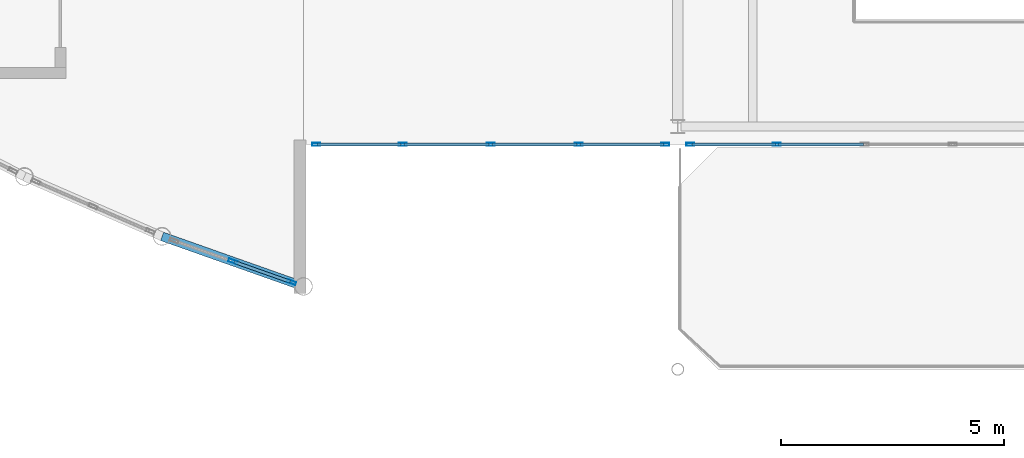
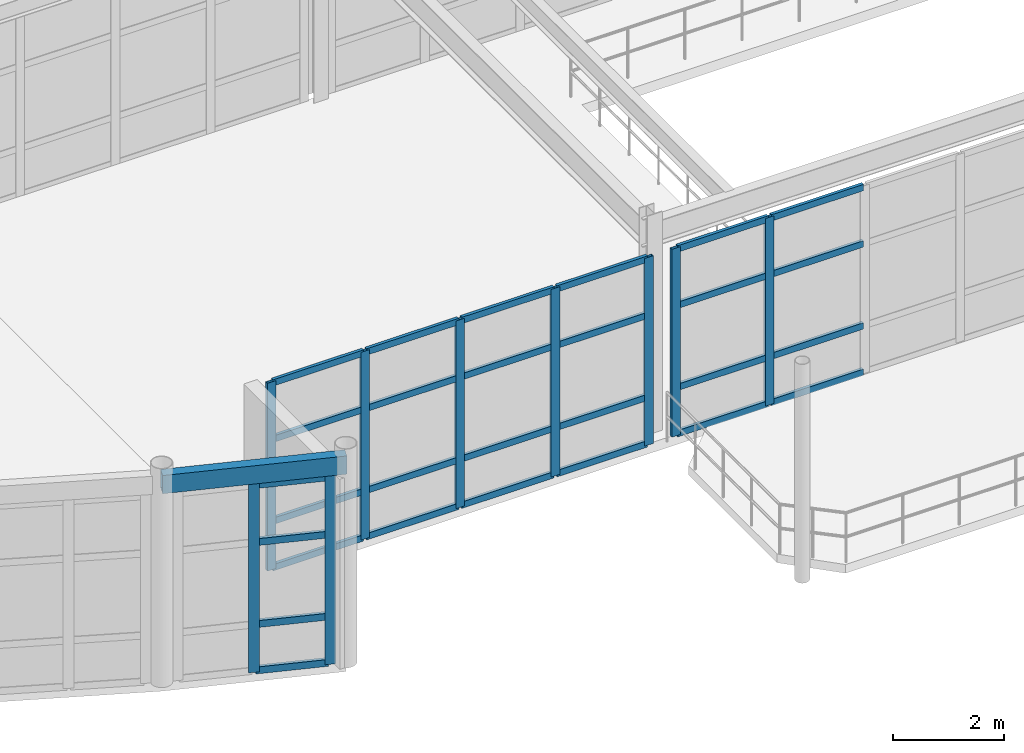
# One storey, part 26 of 116: 37 members, 1 beam, 3 elements without a shape of their own.
"""IFC4 building model written with IfcOpenShell, lengths in metres."""

import ifcopenshell
import ifcopenshell.guid

model = None  # the IFC model being written
_history = None  # IfcOwnerHistory: only IFC2X3 demands one
_inside = {}  # id of a spatial element -> (the spatial element, [elements in it])
_under = {}  # id of a project, library or spatial element -> (it, [spatial elements below it])
_declared = {}  # id of a project -> (the project, [libraries it declares])
_typed = {}  # id of a type object -> (the type object, [elements of that type])
_made_of = {}  # id of a material, layer set ... -> (it, [elements and type objects made of it])


def new_model(schema):
    """Start an empty IFC model of exactly this schema.

    Asked for "IFC4X3", IfcOpenShell would pick the latest addendum, in which some entities
    have other attributes; the version numbers below select the first issue.
    IFC2X3 requires an IfcOwnerHistory on every rooted entity: one is made here for all.
    """
    global model, _history
    if schema == "IFC4X3":
        model = ifcopenshell.file(schema_version=(4, 3, 0, 0))
    else:
        model = ifcopenshell.file(schema=schema)
    _inside.clear()
    _under.clear()
    _declared.clear()
    _typed.clear()
    _made_of.clear()
    _history = None
    if model.schema == "IFC2X3":
        org = make("IfcOrganization", Name="unknown")
        user = make(
            "IfcPersonAndOrganization",
            ThePerson=make("IfcPerson", FamilyName="unknown"),
            TheOrganization=org,
        )
        app = make(
            "IfcApplication",
            ApplicationDeveloper=org,
            Version="unknown",
            ApplicationFullName="unknown",
            ApplicationIdentifier="unknown",
        )
        _history = make(
            "IfcOwnerHistory",
            OwningUser=user,
            OwningApplication=app,
            ChangeAction="ADDED",
            CreationDate=0,
        )
    return model


def make(cls, **values):
    """One entity of the class cls with the attributes given. An attribute that is None is left unset."""
    return model.create_entity(
        cls, **{name: value for name, value in values.items() if value is not None}
    )


def rooted(cls, **values):
    """An entity with a GlobalId (a new one), such as an element, a storey or a relation."""
    return make(cls, GlobalId=ifcopenshell.guid.new(), OwnerHistory=_history, **values)


def si_unit(unit_type, name, prefix=None):
    """IfcSIUnit, for example si_unit("LENGTHUNIT", "METRE", prefix="MILLI")."""
    return make("IfcSIUnit", UnitType=unit_type, Prefix=prefix, Name=name)


def assignment(units):
    """IfcUnitAssignment: the units of a project."""
    return None if units is None else make("IfcUnitAssignment", Units=units)


def point(xyz):
    """IfcCartesianPoint."""
    return None if xyz is None else make("IfcCartesianPoint", Coordinates=xyz)


def direction(xyz):
    """IfcDirection."""
    return None if xyz is None else make("IfcDirection", DirectionRatios=xyz)


def frame(location, z_axis=None, x_axis=None):
    """IfcAxis2Placement3D, a coordinate frame: its origin and axes. An axis left out is left unset."""
    return make(
        "IfcAxis2Placement3D",
        Location=point(location),
        Axis=direction(z_axis),
        RefDirection=direction(x_axis),
    )


def frame_2d(location, x_axis=None):
    """IfcAxis2Placement2D, a coordinate frame in the plane: its origin and x axis."""
    return make(
        "IfcAxis2Placement2D", Location=point(location), RefDirection=direction(x_axis)
    )


def origin():
    """The frame at (0, 0, 0) with its axes left unset."""
    return frame((0.0, 0.0, 0.0))


def origin_2d():
    """The frame at (0, 0) in the plane with its x axis left unset."""
    return frame_2d((0.0, 0.0))


def place(relative_to, where):
    """IfcLocalPlacement: puts the frame where relative to a parent placement (None: the world)."""
    return make(
        "IfcLocalPlacement", PlacementRelTo=relative_to, RelativePlacement=where
    )


def context(
    kind, dimensions, precision=None, world=None, true_north=None, identifier=None
):
    """IfcGeometricRepresentationContext, for example the 3D "Model" context."""
    return make(
        "IfcGeometricRepresentationContext",
        ContextIdentifier=identifier,
        ContextType=kind,
        CoordinateSpaceDimension=dimensions,
        Precision=precision,
        WorldCoordinateSystem=world,
        TrueNorth=true_north,
    )


def subcontext(parent, identifier, kind, view, scale=None):
    """IfcGeometricRepresentationSubContext, for example "Body" below "Model"."""
    return make(
        "IfcGeometricRepresentationSubContext",
        ContextIdentifier=identifier,
        ContextType=kind,
        ParentContext=parent,
        TargetScale=scale,
        TargetView=view,
    )


def project(units=None, contexts=None):
    """IfcProject with its units and contexts."""
    return rooted(
        "IfcProject",
        Name="project",
        RepresentationContexts=contexts,
        UnitsInContext=assignment(units),
    )


def spatial(cls, under=None, at=None, **own):
    """A site, building, storey or space (cls), placed at a placement, below another one or the project."""
    s = rooted(cls, ObjectPlacement=at, **own)
    if under is not None:
        _under.setdefault(under.id(), (under, []))[1].append(s)
    return s


def profile(cls, at=None, kind="AREA", **sizes):
    """A parametric profile (cls). Its sizes go by their IFC names, for example OverallWidth=200.0."""
    return make(cls, ProfileType=kind, Position=at, **sizes)


def hollow_rectangle(**sizes):
    """IfcRectangleHollowProfileDef."""
    return profile("IfcRectangleHollowProfileDef", **sizes)


def extrude(swept, where, along, depth):
    """IfcExtrudedAreaSolid: the profile swept, set in the frame where, extruded along a direction by depth."""
    return make(
        "IfcExtrudedAreaSolid",
        SweptArea=swept,
        Position=where,
        ExtrudedDirection=direction(along),
        Depth=depth,
    )


def shape(context_of_items, identifier, shape_type, items):
    """IfcShapeRepresentation: the items that make up one representation, for example the "Body"."""
    return make(
        "IfcShapeRepresentation",
        ContextOfItems=context_of_items,
        RepresentationIdentifier=identifier,
        RepresentationType=shape_type,
        Items=items,
    )


def material(Name=None, Category=None):
    """IfcMaterial."""
    return make("IfcMaterial", Name=Name, Category=Category)


def layer(
    of_material, thickness, ventilated=None, Name=None, Category=None, Priority=None
):
    """IfcMaterialLayer: one layer of a wall or slab, of a material (None: an air gap)."""
    return make(
        "IfcMaterialLayer",
        Material=of_material,
        LayerThickness=thickness,
        IsVentilated=ventilated,
        Name=Name,
        Category=Category,
        Priority=Priority,
    )


def layer_set(layers, Name=None):
    """IfcMaterialLayerSet."""
    return make("IfcMaterialLayerSet", MaterialLayers=layers, LayerSetName=Name)


def material_profile(
    of_material, cross_section, Name=None, Category=None, Priority=None
):
    """IfcMaterialProfile: a cross section and its material."""
    return make(
        "IfcMaterialProfile",
        Name=Name,
        Material=of_material,
        Profile=cross_section,
        Priority=Priority,
        Category=Category,
    )


def profile_set(profiles, Name=None, composite=None):
    """IfcMaterialProfileSet."""
    return make(
        "IfcMaterialProfileSet",
        Name=Name,
        MaterialProfiles=profiles,
        CompositeProfile=composite,
    )


def made_of(thing, what):
    """Note that an element or type object is made of a material, layer set ...; save() writes the relation."""
    if what is not None:
        _made_of.setdefault(what.id(), (what, []))[1].append(thing)
    return thing


def type_object(cls, material=None, **own):
    """A type object (cls), such as IfcWallType, which elements share."""
    return made_of(rooted(cls, **own), material)


def element(
    cls,
    number,
    at=None,
    inside=None,
    cuts=None,
    type_object=None,
    material=None,
    context=None,
    identifier="Body",
    shape_type=None,
    held_by="IfcProductDefinitionShape",
    body=None,
    shapes=None,
    **own,
):
    """One element of the class cls, such as IfcWall. Its Tag is "e" and its number.

    at: its placement. inside: the storey or other place that contains it. cuts: it is an
    opening in that element (IfcRelVoidsElement). A single representation is given by context,
    identifier, shape_type and body (its items); several are given by shapes. held_by: the class
    of the entity that holds the representations. save() writes the other relations.
    """
    e = rooted(cls, Tag="e%d" % number, ObjectPlacement=at, **own)
    if body is not None:
        shapes = [shape(context, identifier, shape_type, body)]
    if shapes is not None:
        e.Representation = make(held_by, Representations=shapes)
    if inside is not None:
        _inside.setdefault(inside.id(), (inside, []))[1].append(e)
    if cuts is not None:
        rooted(
            "IfcRelVoidsElement", RelatingBuildingElement=cuts, RelatedOpeningElement=e
        )
    if type_object is not None:
        _typed.setdefault(type_object.id(), (type_object, []))[1].append(e)
    return made_of(e, material)


def aggregate(whole, parts):
    """IfcRelAggregates: a whole, such as a stair, and the parts it consists of."""
    return rooted("IfcRelAggregates", RelatingObject=whole, RelatedObjects=parts)


def save(model, path):
    """Write the relations noted so far, then the file.

    IfcRelAggregates (storeys below a building ...), IfcRelContainedInSpatialStructure (elements
    in a storey), IfcRelDefinesByType, IfcRelAssociatesMaterial and IfcRelDeclares: one each for
    every whole, place, type object, material and project.
    """
    for whole, parts in _under.values():
        aggregate(whole, parts)
    for where, things in _inside.values():
        rooted(
            "IfcRelContainedInSpatialStructure",
            RelatedElements=things,
            RelatingStructure=where,
        )
    for kind, things in _typed.values():
        rooted("IfcRelDefinesByType", RelatedObjects=things, RelatingType=kind)
    for what, things in _made_of.values():
        rooted("IfcRelAssociatesMaterial", RelatedObjects=things, RelatingMaterial=what)
    for by, libraries in _declared.values():
        rooted("IfcRelDeclares", RelatingContext=by, RelatedDefinitions=libraries)
    model.write(path)


model = new_model("IFC4")

# Units and contexts
model_context = context("Model", 3, precision=1e-05, world=origin(), true_north=direction((0.0, 1.0)))
body_context = subcontext(model_context, "Body", "Model", "MODEL_VIEW")
ifc_project = project(units=[si_unit("LENGTHUNIT", "METRE"), si_unit("AREAUNIT", "SQUARE_METRE"), si_unit("VOLUMEUNIT", "CUBIC_METRE"), si_unit("PLANEANGLEUNIT", "RADIAN"), si_unit("MASSUNIT", "GRAM", prefix="KILO")], contexts=[model_context])

# Site, building, storey
site_placement = place(None, origin())
site = spatial("IfcSite", under=ifc_project, at=site_placement, CompositionType="ELEMENT")
building_placement = place(site_placement, origin())
building = spatial("IfcBuilding", under=site, at=building_placement, Name="Selat Folded Stagehouse", CompositionType="ELEMENT")
storey_placement = place(building_placement, frame((0.0, 0.0, 5.39990234375)))
storey = spatial("IfcBuildingStorey", under=building, at=storey_placement, Name="L01", CompositionType="ELEMENT", Elevation=5.39990234375)

# Curtain wall, members
ifc_material_1 = material(Name="Aluminium 6063-T6", Category="aluminium")
ifc_layer_1 = layer(ifc_material_1, 0.2099609375)
ifc_layer_set_1 = layer_set([ifc_layer_1], Name="Aluminium 6063-T6")
curtain_wall_type_1 = type_object("IfcCurtainWallType", Name="CW-FYR-SOUTH", PredefinedType="NOTDEFINED", material=ifc_layer_set_1)
curtain_wall_1_placement = place(storey_placement, origin())
curtain_wall_1 = element("IfcCurtainWall", 1, at=curtain_wall_1_placement, inside=storey, type_object=curtain_wall_type_1, Name="L01 curtain wall CW-FYR-L01-00", PredefinedType="NOTDEFINED")
ifc_material_profile_1 = material_profile(ifc_material_1, hollow_rectangle(XDim=0.06494140625, YDim=0.179931640625, WallThickness=0.00390625, at=origin_2d()), Name="ALU 180x65x4.0")
ifc_profile_set_1 = profile_set([ifc_material_profile_1], Name="Aluminium 6063-T6")
member_type_1 = type_object("IfcMemberType", Name="CWM-MUL-180x65", PredefinedType="MULLION", material=ifc_profile_set_1)
member_1_placement = place(storey_placement, frame((41.717529296875, 5.39990234375, 0.0), z_axis=(0.0, 0.0, 1.0), x_axis=(0.0, -1.0, 0.0)))
member_1 = element("IfcMember", 2, at=member_1_placement, type_object=member_type_1, Name="CW-04 mullion 1", PredefinedType="MULLION", context=body_context, shape_type="SweptSolid", body=[
    extrude(hollow_rectangle(XDim=0.06494140625, YDim=0.179931640625, WallThickness=0.00390625, at=origin_2d()), origin(), (0.0, 0.0, 1.0), 4.1201171875),
])
member_2_placement = place(storey_placement, frame((39.77490234375, 5.39990234375, 0.0), z_axis=(0.0, 0.0, 1.0), x_axis=(0.0, -1.0, 0.0)))
member_2 = element("IfcMember", 3, at=member_2_placement, type_object=member_type_1, Name="CW-04 mullion 2", PredefinedType="MULLION", context=body_context, shape_type="SweptSolid", body=[
    extrude(hollow_rectangle(XDim=0.06494140625, YDim=0.179931640625, WallThickness=0.00390625, at=origin_2d()), origin(), (0.0, 0.0, 1.0), 4.1201171875),
])
member_3_placement = place(storey_placement, frame((37.800048828125, 5.39990234375, 0.0), z_axis=(0.0, 0.0, 1.0), x_axis=(0.0, -1.0, 0.0)))
member_3 = element("IfcMember", 4, at=member_3_placement, type_object=member_type_1, Name="CW-04 mullion 3", PredefinedType="MULLION", context=body_context, shape_type="SweptSolid", body=[
    extrude(hollow_rectangle(XDim=0.06494140625, YDim=0.179931640625, WallThickness=0.00390625, at=origin_2d()), origin(), (0.0, 0.0, 1.0), 4.1201171875),
])
member_4_placement = place(storey_placement, frame((35.824951171875, 5.39990234375, 0.0), z_axis=(0.0, 0.0, 1.0), x_axis=(0.0, -1.0, 0.0)))
member_4 = element("IfcMember", 5, at=member_4_placement, type_object=member_type_1, Name="CW-04 mullion 4", PredefinedType="MULLION", context=body_context, shape_type="SweptSolid", body=[
    extrude(hollow_rectangle(XDim=0.06494140625, YDim=0.179931640625, WallThickness=0.00390625, at=origin_2d()), origin(), (0.0, 0.0, 1.0), 4.1201171875),
])
member_5_placement = place(storey_placement, frame((33.882568359375, 5.39990234375, 0.0), z_axis=(0.0, 0.0, 1.0), x_axis=(0.0, -1.0, 0.0)))
member_5 = element("IfcMember", 6, at=member_5_placement, type_object=member_type_1, Name="CW-04 mullion 5", PredefinedType="MULLION", context=body_context, shape_type="SweptSolid", body=[
    extrude(hollow_rectangle(XDim=0.06494140625, YDim=0.179931640625, WallThickness=0.00390625, at=origin_2d()), origin(), (0.0, 0.0, 1.0), 4.1201171875),
])

curtain_wall_2_placement = place(storey_placement, origin())
curtain_wall_2 = element("IfcCurtainWall", 7, at=curtain_wall_2_placement, inside=storey, type_object=curtain_wall_type_1, Name="L01 curtain wall CW-FYR-L01-01", PredefinedType="NOTDEFINED")
member_6_placement = place(storey_placement, frame((44.22509765625, 5.39990234375, 0.0), z_axis=(0.0, 0.0, 1.0), x_axis=(0.0, -1.0, 0.0)))
member_6 = element("IfcMember", 8, at=member_6_placement, type_object=member_type_1, Name="CW-04 mullion 4", PredefinedType="MULLION", context=body_context, shape_type="SweptSolid", body=[
    extrude(hollow_rectangle(XDim=0.06494140625, YDim=0.179931640625, WallThickness=0.00390625, at=origin_2d()), origin(), (0.0, 0.0, 1.0), 4.1201171875),
])
member_7_placement = place(storey_placement, frame((42.282470703125, 5.39990234375, 0.0), z_axis=(0.0, 0.0, 1.0), x_axis=(0.0, -1.0, 0.0)))
member_7 = element("IfcMember", 9, at=member_7_placement, type_object=member_type_1, Name="CW-04 mullion 5", PredefinedType="MULLION", context=body_context, shape_type="SweptSolid", body=[
    extrude(hollow_rectangle(XDim=0.06494140625, YDim=0.179931640625, WallThickness=0.00390625, at=origin_2d()), origin(), (0.0, 0.0, 1.0), 4.1201171875),
])

ifc_layer_2 = layer(ifc_material_1, 0.199951171875)
ifc_layer_set_2 = layer_set([ifc_layer_2], Name="Aluminium 6063-T6")
curtain_wall_type_2 = type_object("IfcCurtainWallType", Name="CW-DRM-MID", PredefinedType="NOTDEFINED", material=ifc_layer_set_2)
curtain_wall_3_placement = place(storey_placement, origin())
curtain_wall_3 = element("IfcCurtainWall", 10, at=curtain_wall_3_placement, inside=storey, type_object=curtain_wall_type_2, Name="L01 curtain wall CW-DRM-L01-19", PredefinedType="NOTDEFINED")
ifc_material_profile_2 = material_profile(ifc_material_1, hollow_rectangle(XDim=0.070068359375, YDim=0.199951171875, WallThickness=0.0048828125, at=origin_2d()), Name="ALU 200x70x5.0")
ifc_profile_set_2 = profile_set([ifc_material_profile_2], Name="Aluminium 6063-T6")
member_type_2 = type_object("IfcMemberType", Name="CWM-MUL-200x70", PredefinedType="MULLION", material=ifc_profile_set_2)
member_8_placement = place(storey_placement, frame((33.331298828125, 2.305908203125, 0.0), z_axis=(0.0, 0.0, 1.0), x_axis=(-0.333314148838, -0.942815824106, 0.0)))
member_8 = element("IfcMember", 11, at=member_8_placement, type_object=member_type_2, Name="CW-02 mullion 1", PredefinedType="MULLION", context=body_context, shape_type="SweptSolid", body=[
    extrude(hollow_rectangle(XDim=0.070068359375, YDim=0.199951171875, WallThickness=0.0048828125, at=origin_2d()), origin(), (0.0, 0.0, 1.0), 4.14013671875),
])
member_9_placement = place(storey_placement, frame((32.01171875, 2.7724609375, 0.0), z_axis=(0.0, 0.0, 1.0), x_axis=(-0.333314148838, -0.942815824106, 0.0)))
member_9 = element("IfcMember", 12, at=member_9_placement, type_object=member_type_2, Name="CW-02 mullion 2", PredefinedType="MULLION", context=body_context, shape_type="SweptSolid", body=[
    extrude(hollow_rectangle(XDim=0.070068359375, YDim=0.199951171875, WallThickness=0.0048828125, at=origin_2d()), origin(), (0.0, 0.0, 1.0), 4.14013671875),
])

# Member
ifc_material_profile_3 = material_profile(ifc_material_1, hollow_rectangle(XDim=0.06494140625, YDim=0.139892578125, WallThickness=0.00390625, at=origin_2d()), Name="ALU 140x65x4.0")
ifc_profile_set_3 = profile_set([ifc_material_profile_3], Name="Aluminium 6063-T6")
member_type_3 = type_object("IfcMemberType", Name="CWM-TRN-140x65", PredefinedType="USERDEFINED", material=ifc_profile_set_3)
member_10_placement = place(storey_placement, frame((41.68505859375, 5.39990234375, 0.03271484375), z_axis=(-1.0, 0.0, 0.0), x_axis=(0.0, -1.0, 0.0)))
member_10 = element("IfcMember", 13, at=member_10_placement, type_object=member_type_3, Name="CW-04 transom 1.1", ObjectType="TRANSOM", PredefinedType="USERDEFINED", context=body_context, shape_type="SweptSolid", body=[
    extrude(hollow_rectangle(XDim=0.06494140625, YDim=0.139892578125, WallThickness=0.00390625, at=origin_2d()), origin(), (0.0, 0.0, 1.0), 1.87744140625),
])

member_11_placement = place(storey_placement, frame((41.68505859375, 5.39990234375, 1.050048828125), z_axis=(-1.0, 0.0, 0.0), x_axis=(0.0, -1.0, 0.0)))
member_11 = element("IfcMember", 14, at=member_11_placement, type_object=member_type_3, Name="CW-04 transom 1.2", ObjectType="TRANSOM", PredefinedType="USERDEFINED", context=body_context, shape_type="SweptSolid", body=[
    extrude(hollow_rectangle(XDim=0.06494140625, YDim=0.139892578125, WallThickness=0.00390625, at=origin_2d()), origin(), (0.0, 0.0, 1.0), 1.87744140625),
])

member_12_placement = place(storey_placement, frame((41.68505859375, 5.39990234375, 2.85009765625), z_axis=(-1.0, 0.0, 0.0), x_axis=(0.0, -1.0, 0.0)))
member_12 = element("IfcMember", 15, at=member_12_placement, type_object=member_type_3, Name="CW-04 transom 1.3", ObjectType="TRANSOM", PredefinedType="USERDEFINED", context=body_context, shape_type="SweptSolid", body=[
    extrude(hollow_rectangle(XDim=0.06494140625, YDim=0.139892578125, WallThickness=0.00390625, at=origin_2d()), origin(), (0.0, 0.0, 1.0), 1.87744140625),
])

member_13_placement = place(storey_placement, frame((41.68505859375, 5.39990234375, 4.087646484375), z_axis=(-1.0, 0.0, 0.0), x_axis=(0.0, -1.0, 0.0)))
member_13 = element("IfcMember", 16, at=member_13_placement, type_object=member_type_3, Name="CW-04 transom 1.4", ObjectType="TRANSOM", PredefinedType="USERDEFINED", context=body_context, shape_type="SweptSolid", body=[
    extrude(hollow_rectangle(XDim=0.06494140625, YDim=0.139892578125, WallThickness=0.00390625, at=origin_2d()), origin(), (0.0, 0.0, 1.0), 1.87744140625),
])

member_14_placement = place(storey_placement, frame((39.742431640625, 5.39990234375, 0.03271484375), z_axis=(-1.0, 0.0, 0.0), x_axis=(0.0, -1.0, 0.0)))
member_14 = element("IfcMember", 17, at=member_14_placement, type_object=member_type_3, Name="CW-04 transom 2.1", ObjectType="TRANSOM", PredefinedType="USERDEFINED", context=body_context, shape_type="SweptSolid", body=[
    extrude(hollow_rectangle(XDim=0.06494140625, YDim=0.139892578125, WallThickness=0.00390625, at=origin_2d()), origin(), (0.0, 0.0, 1.0), 1.909912109375),
])

member_15_placement = place(storey_placement, frame((39.742431640625, 5.39990234375, 1.050048828125), z_axis=(-1.0, 0.0, 0.0), x_axis=(0.0, -1.0, 0.0)))
member_15 = element("IfcMember", 18, at=member_15_placement, type_object=member_type_3, Name="CW-04 transom 2.2", ObjectType="TRANSOM", PredefinedType="USERDEFINED", context=body_context, shape_type="SweptSolid", body=[
    extrude(hollow_rectangle(XDim=0.06494140625, YDim=0.139892578125, WallThickness=0.00390625, at=origin_2d()), origin(), (0.0, 0.0, 1.0), 1.909912109375),
])

member_16_placement = place(storey_placement, frame((39.742431640625, 5.39990234375, 2.85009765625), z_axis=(-1.0, 0.0, 0.0), x_axis=(0.0, -1.0, 0.0)))
member_16 = element("IfcMember", 19, at=member_16_placement, type_object=member_type_3, Name="CW-04 transom 2.3", ObjectType="TRANSOM", PredefinedType="USERDEFINED", context=body_context, shape_type="SweptSolid", body=[
    extrude(hollow_rectangle(XDim=0.06494140625, YDim=0.139892578125, WallThickness=0.00390625, at=origin_2d()), origin(), (0.0, 0.0, 1.0), 1.909912109375),
])

member_17_placement = place(storey_placement, frame((39.742431640625, 5.39990234375, 4.087646484375), z_axis=(-1.0, 0.0, 0.0), x_axis=(0.0, -1.0, 0.0)))
member_17 = element("IfcMember", 20, at=member_17_placement, type_object=member_type_3, Name="CW-04 transom 2.4", ObjectType="TRANSOM", PredefinedType="USERDEFINED", context=body_context, shape_type="SweptSolid", body=[
    extrude(hollow_rectangle(XDim=0.06494140625, YDim=0.139892578125, WallThickness=0.00390625, at=origin_2d()), origin(), (0.0, 0.0, 1.0), 1.909912109375),
])

member_18_placement = place(storey_placement, frame((37.767578125, 5.39990234375, 0.03271484375), z_axis=(-1.0, 0.0, 0.0), x_axis=(0.0, -1.0, 0.0)))
member_18 = element("IfcMember", 21, at=member_18_placement, type_object=member_type_3, Name="CW-04 transom 3.1", ObjectType="TRANSOM", PredefinedType="USERDEFINED", context=body_context, shape_type="SweptSolid", body=[
    extrude(hollow_rectangle(XDim=0.06494140625, YDim=0.139892578125, WallThickness=0.00390625, at=origin_2d()), origin(), (0.0, 0.0, 1.0), 1.91015625),
])

member_19_placement = place(storey_placement, frame((37.767578125, 5.39990234375, 1.050048828125), z_axis=(-1.0, 0.0, 0.0), x_axis=(0.0, -1.0, 0.0)))
member_19 = element("IfcMember", 22, at=member_19_placement, type_object=member_type_3, Name="CW-04 transom 3.2", ObjectType="TRANSOM", PredefinedType="USERDEFINED", context=body_context, shape_type="SweptSolid", body=[
    extrude(hollow_rectangle(XDim=0.06494140625, YDim=0.139892578125, WallThickness=0.00390625, at=origin_2d()), origin(), (0.0, 0.0, 1.0), 1.91015625),
])

member_20_placement = place(storey_placement, frame((37.767578125, 5.39990234375, 2.85009765625), z_axis=(-1.0, 0.0, 0.0), x_axis=(0.0, -1.0, 0.0)))
member_20 = element("IfcMember", 23, at=member_20_placement, type_object=member_type_3, Name="CW-04 transom 3.3", ObjectType="TRANSOM", PredefinedType="USERDEFINED", context=body_context, shape_type="SweptSolid", body=[
    extrude(hollow_rectangle(XDim=0.06494140625, YDim=0.139892578125, WallThickness=0.00390625, at=origin_2d()), origin(), (0.0, 0.0, 1.0), 1.91015625),
])

member_21_placement = place(storey_placement, frame((37.767578125, 5.39990234375, 4.087646484375), z_axis=(-1.0, 0.0, 0.0), x_axis=(0.0, -1.0, 0.0)))
member_21 = element("IfcMember", 24, at=member_21_placement, type_object=member_type_3, Name="CW-04 transom 3.4", ObjectType="TRANSOM", PredefinedType="USERDEFINED", context=body_context, shape_type="SweptSolid", body=[
    extrude(hollow_rectangle(XDim=0.06494140625, YDim=0.139892578125, WallThickness=0.00390625, at=origin_2d()), origin(), (0.0, 0.0, 1.0), 1.91015625),
])

member_22_placement = place(storey_placement, frame((35.79248046875, 5.39990234375, 0.03271484375), z_axis=(-1.0, 0.0, 0.0), x_axis=(0.0, -1.0, 0.0)))
member_22 = element("IfcMember", 25, at=member_22_placement, type_object=member_type_3, Name="CW-04 transom 4.1", ObjectType="TRANSOM", PredefinedType="USERDEFINED", context=body_context, shape_type="SweptSolid", body=[
    extrude(hollow_rectangle(XDim=0.06494140625, YDim=0.139892578125, WallThickness=0.00390625, at=origin_2d()), origin(), (0.0, 0.0, 1.0), 1.87744140625),
])

member_23_placement = place(storey_placement, frame((35.79248046875, 5.39990234375, 1.050048828125), z_axis=(-1.0, 0.0, 0.0), x_axis=(0.0, -1.0, 0.0)))
member_23 = element("IfcMember", 26, at=member_23_placement, type_object=member_type_3, Name="CW-04 transom 4.2", ObjectType="TRANSOM", PredefinedType="USERDEFINED", context=body_context, shape_type="SweptSolid", body=[
    extrude(hollow_rectangle(XDim=0.06494140625, YDim=0.139892578125, WallThickness=0.00390625, at=origin_2d()), origin(), (0.0, 0.0, 1.0), 1.87744140625),
])

member_24_placement = place(storey_placement, frame((35.79248046875, 5.39990234375, 2.85009765625), z_axis=(-1.0, 0.0, 0.0), x_axis=(0.0, -1.0, 0.0)))
member_24 = element("IfcMember", 27, at=member_24_placement, type_object=member_type_3, Name="CW-04 transom 4.3", ObjectType="TRANSOM", PredefinedType="USERDEFINED", context=body_context, shape_type="SweptSolid", body=[
    extrude(hollow_rectangle(XDim=0.06494140625, YDim=0.139892578125, WallThickness=0.00390625, at=origin_2d()), origin(), (0.0, 0.0, 1.0), 1.87744140625),
])

member_25_placement = place(storey_placement, frame((35.79248046875, 5.39990234375, 4.087646484375), z_axis=(-1.0, 0.0, 0.0), x_axis=(0.0, -1.0, 0.0)))
member_25 = element("IfcMember", 28, at=member_25_placement, type_object=member_type_3, Name="CW-04 transom 4.4", ObjectType="TRANSOM", PredefinedType="USERDEFINED", context=body_context, shape_type="SweptSolid", body=[
    extrude(hollow_rectangle(XDim=0.06494140625, YDim=0.139892578125, WallThickness=0.00390625, at=origin_2d()), origin(), (0.0, 0.0, 1.0), 1.87744140625),
])

aggregate(curtain_wall_1, [member_1, member_2, member_3, member_4, member_5, member_10, member_11, member_12, member_13, member_14, member_15, member_16, member_17, member_18, member_19, member_20, member_21, member_22, member_23, member_24, member_25])

member_26_placement = place(storey_placement, frame((46.16748046875, 5.39990234375, 0.03271484375), z_axis=(-1.0, 0.0, 0.0), x_axis=(0.0, -1.0, 0.0)))
member_26 = element("IfcMember", 29, at=member_26_placement, type_object=member_type_3, Name="CW-04 transom 3.1", ObjectType="TRANSOM", PredefinedType="USERDEFINED", context=body_context, shape_type="SweptSolid", body=[
    extrude(hollow_rectangle(XDim=0.06494140625, YDim=0.139892578125, WallThickness=0.00390625, at=origin_2d()), origin(), (0.0, 0.0, 1.0), 1.909912109375),
])

member_27_placement = place(storey_placement, frame((46.16748046875, 5.39990234375, 1.050048828125), z_axis=(-1.0, 0.0, 0.0), x_axis=(0.0, -1.0, 0.0)))
member_27 = element("IfcMember", 30, at=member_27_placement, type_object=member_type_3, Name="CW-04 transom 3.2", ObjectType="TRANSOM", PredefinedType="USERDEFINED", context=body_context, shape_type="SweptSolid", body=[
    extrude(hollow_rectangle(XDim=0.06494140625, YDim=0.139892578125, WallThickness=0.00390625, at=origin_2d()), origin(), (0.0, 0.0, 1.0), 1.909912109375),
])

member_28_placement = place(storey_placement, frame((46.16748046875, 5.39990234375, 2.85009765625), z_axis=(-1.0, 0.0, 0.0), x_axis=(0.0, -1.0, 0.0)))
member_28 = element("IfcMember", 31, at=member_28_placement, type_object=member_type_3, Name="CW-04 transom 3.3", ObjectType="TRANSOM", PredefinedType="USERDEFINED", context=body_context, shape_type="SweptSolid", body=[
    extrude(hollow_rectangle(XDim=0.06494140625, YDim=0.139892578125, WallThickness=0.00390625, at=origin_2d()), origin(), (0.0, 0.0, 1.0), 1.909912109375),
])

member_29_placement = place(storey_placement, frame((46.16748046875, 5.39990234375, 4.087646484375), z_axis=(-1.0, 0.0, 0.0), x_axis=(0.0, -1.0, 0.0)))
member_29 = element("IfcMember", 32, at=member_29_placement, type_object=member_type_3, Name="CW-04 transom 3.4", ObjectType="TRANSOM", PredefinedType="USERDEFINED", context=body_context, shape_type="SweptSolid", body=[
    extrude(hollow_rectangle(XDim=0.06494140625, YDim=0.139892578125, WallThickness=0.00390625, at=origin_2d()), origin(), (0.0, 0.0, 1.0), 1.909912109375),
])

member_30_placement = place(storey_placement, frame((44.1923828125, 5.39990234375, 0.03271484375), z_axis=(-1.0, 0.0, 0.0), x_axis=(0.0, -1.0, 0.0)))
member_30 = element("IfcMember", 33, at=member_30_placement, type_object=member_type_3, Name="CW-04 transom 4.1", ObjectType="TRANSOM", PredefinedType="USERDEFINED", context=body_context, shape_type="SweptSolid", body=[
    extrude(hollow_rectangle(XDim=0.06494140625, YDim=0.139892578125, WallThickness=0.00390625, at=origin_2d()), origin(), (0.0, 0.0, 1.0), 1.87744140625),
])

member_31_placement = place(storey_placement, frame((44.1923828125, 5.39990234375, 1.050048828125), z_axis=(-1.0, 0.0, 0.0), x_axis=(0.0, -1.0, 0.0)))
member_31 = element("IfcMember", 34, at=member_31_placement, type_object=member_type_3, Name="CW-04 transom 4.2", ObjectType="TRANSOM", PredefinedType="USERDEFINED", context=body_context, shape_type="SweptSolid", body=[
    extrude(hollow_rectangle(XDim=0.06494140625, YDim=0.139892578125, WallThickness=0.00390625, at=origin_2d()), origin(), (0.0, 0.0, 1.0), 1.87744140625),
])

member_32_placement = place(storey_placement, frame((44.1923828125, 5.39990234375, 2.85009765625), z_axis=(-1.0, 0.0, 0.0), x_axis=(0.0, -1.0, 0.0)))
member_32 = element("IfcMember", 35, at=member_32_placement, type_object=member_type_3, Name="CW-04 transom 4.3", ObjectType="TRANSOM", PredefinedType="USERDEFINED", context=body_context, shape_type="SweptSolid", body=[
    extrude(hollow_rectangle(XDim=0.06494140625, YDim=0.139892578125, WallThickness=0.00390625, at=origin_2d()), origin(), (0.0, 0.0, 1.0), 1.87744140625),
])

member_33_placement = place(storey_placement, frame((44.1923828125, 5.39990234375, 4.087646484375), z_axis=(-1.0, 0.0, 0.0), x_axis=(0.0, -1.0, 0.0)))
member_33 = element("IfcMember", 36, at=member_33_placement, type_object=member_type_3, Name="CW-04 transom 4.4", ObjectType="TRANSOM", PredefinedType="USERDEFINED", context=body_context, shape_type="SweptSolid", body=[
    extrude(hollow_rectangle(XDim=0.06494140625, YDim=0.139892578125, WallThickness=0.00390625, at=origin_2d()), origin(), (0.0, 0.0, 1.0), 1.87744140625),
])

aggregate(curtain_wall_2, [member_6, member_7, member_26, member_27, member_28, member_29, member_30, member_31, member_32, member_33])

ifc_material_profile_4 = material_profile(ifc_material_1, hollow_rectangle(XDim=0.070068359375, YDim=0.14990234375, WallThickness=0.00390625, at=origin_2d()), Name="ALU 150x70x4.0")
ifc_profile_set_4 = profile_set([ifc_material_profile_4], Name="Aluminium 6063-T6")
member_type_4 = type_object("IfcMemberType", Name="CWM-TRN-150x70", PredefinedType="USERDEFINED", material=ifc_profile_set_4)
member_34_placement = place(storey_placement, frame((33.29833984375, 2.317626953125, 0.03515625), z_axis=(-0.942837696948, 0.333252272631, 0.0), x_axis=(-0.333252272631, -0.942837696948, 0.0)))
member_34 = element("IfcMember", 37, at=member_34_placement, type_object=member_type_4, Name="CW-02 transom 1.1", ObjectType="TRANSOM", PredefinedType="USERDEFINED", context=body_context, shape_type="SweptSolid", body=[
    extrude(hollow_rectangle(XDim=0.070068359375, YDim=0.14990234375, WallThickness=0.00390625, at=origin_2d()), origin(), (0.0, 0.0, 1.0), 1.32958984375),
])

member_35_placement = place(storey_placement, frame((33.29833984375, 2.317626953125, 1.050048828125), z_axis=(-0.942837696948, 0.333252272631, 0.0), x_axis=(-0.333252272631, -0.942837696948, 0.0)))
member_35 = element("IfcMember", 38, at=member_35_placement, type_object=member_type_4, Name="CW-02 transom 1.2", ObjectType="TRANSOM", PredefinedType="USERDEFINED", context=body_context, shape_type="SweptSolid", body=[
    extrude(hollow_rectangle(XDim=0.070068359375, YDim=0.14990234375, WallThickness=0.00390625, at=origin_2d()), origin(), (0.0, 0.0, 1.0), 1.32958984375),
])

member_36_placement = place(storey_placement, frame((33.29833984375, 2.317626953125, 2.85009765625), z_axis=(-0.942837696948, 0.333252272631, 0.0), x_axis=(-0.333252272631, -0.942837696948, 0.0)))
member_36 = element("IfcMember", 39, at=member_36_placement, type_object=member_type_4, Name="CW-02 transom 1.3", ObjectType="TRANSOM", PredefinedType="USERDEFINED", context=body_context, shape_type="SweptSolid", body=[
    extrude(hollow_rectangle(XDim=0.070068359375, YDim=0.14990234375, WallThickness=0.00390625, at=origin_2d()), origin(), (0.0, 0.0, 1.0), 1.32958984375),
])

member_37_placement = place(storey_placement, frame((33.29833984375, 2.317626953125, 4.10498046875), z_axis=(-0.942837696948, 0.333252272631, 0.0), x_axis=(-0.333252272631, -0.942837696948, 0.0)))
member_37 = element("IfcMember", 40, at=member_37_placement, type_object=member_type_4, Name="CW-02 transom 1.4", ObjectType="TRANSOM", PredefinedType="USERDEFINED", context=body_context, shape_type="SweptSolid", body=[
    extrude(hollow_rectangle(XDim=0.070068359375, YDim=0.14990234375, WallThickness=0.00390625, at=origin_2d()), origin(), (0.0, 0.0, 1.0), 1.32958984375),
])

aggregate(curtain_wall_3, [member_8, member_9, member_34, member_35, member_36, member_37])

# Beam
ifc_material_2 = material(Name="Steel S355", Category="steel")
ifc_material_profile_5 = material_profile(ifc_material_2, hollow_rectangle(XDim=0.199951171875, YDim=0.39990234375, WallThickness=0.012451171875, at=origin_2d()), Name="RHS 400x200x12.5")
ifc_profile_set_5 = profile_set([ifc_material_profile_5], Name="Steel S355")
beam_type = type_object("IfcBeamType", Name="SPD-EXT-400x200", PredefinedType="SPANDREL", material=ifc_profile_set_5)
beam_placement = place(storey_placement, frame((30.423583984375, 3.333740234375, 4.380126953125), z_axis=(0.942833706296, -0.333263562774, 0.0), x_axis=(0.333263562774, 0.942833706296, 0.0)))
element("IfcBeam", 41, at=beam_placement, inside=storey, type_object=beam_type, Name="L01 curved drum spandrel beam 20", PredefinedType="SPANDREL", context=body_context, shape_type="SweptSolid", body=[
    extrude(hollow_rectangle(XDim=0.199951171875, YDim=0.39990234375, WallThickness=0.012451171875, at=origin_2d()), origin(), (0.0, 0.0, 1.0), 3.369140625),
])

save(model, "model.ifc")
